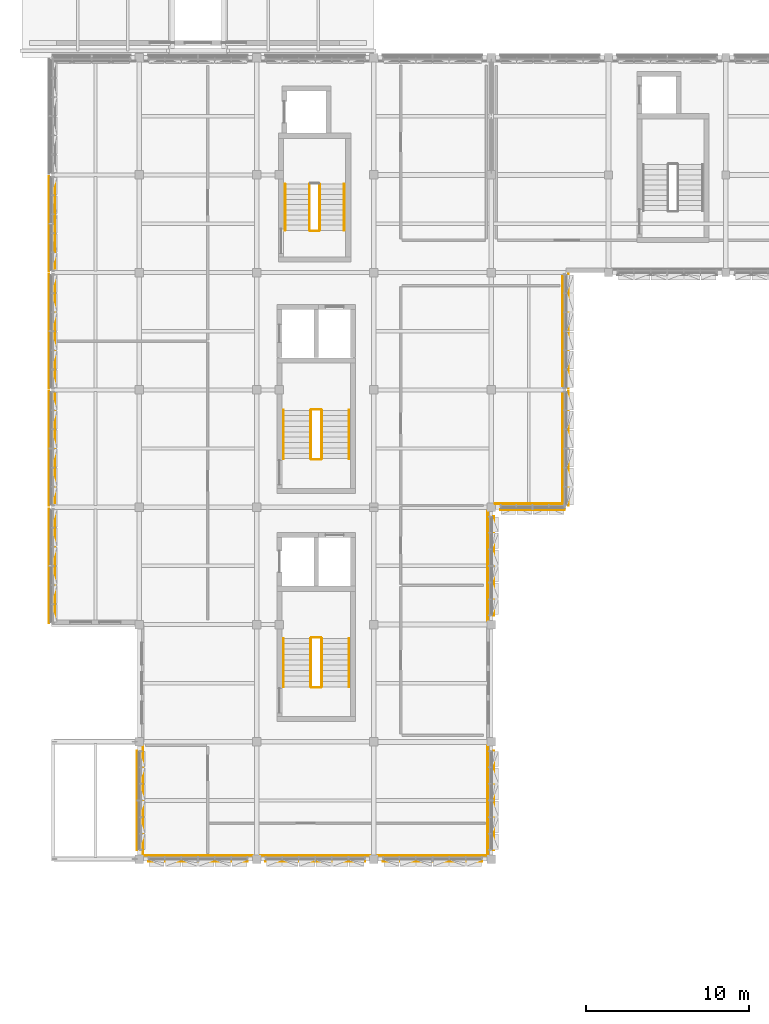
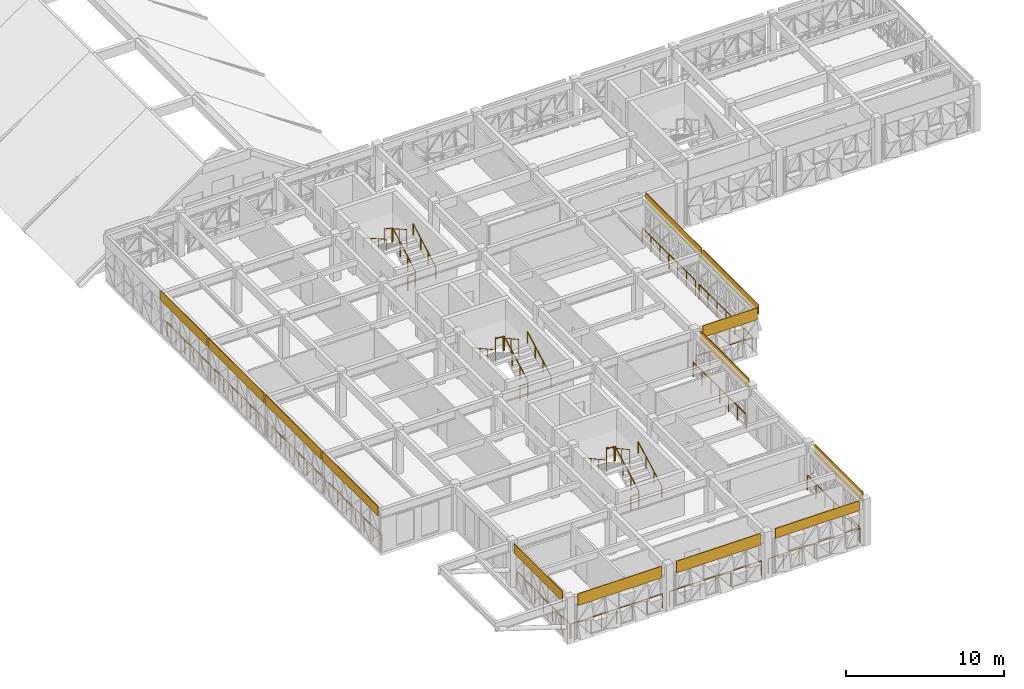
# One storey, part 40 of 48: 30 railings, 13 coverings.
"""IFC4 building model written with IfcOpenShell, lengths in metres."""

from ifc_helpers import new_model, si_unit, direction, frame, origin, origin_2d, place, context, subcontext, project, spatial, polyline, circle, outline, extrude, material, layer, layer_set, type_object, element, save


model = new_model("IFC4")

# Units and contexts
model_context = context("Model", 3, precision=1e-05, world=origin(), true_north=direction((0.0, 1.0)))
body_context = subcontext(model_context, "Body", "Model", "MODEL_VIEW")
ifc_project = project(units=[si_unit("LENGTHUNIT", "METRE"), si_unit("AREAUNIT", "SQUARE_METRE"), si_unit("VOLUMEUNIT", "CUBIC_METRE"), si_unit("PLANEANGLEUNIT", "RADIAN"), si_unit("MASSUNIT", "GRAM", prefix="KILO")], contexts=[model_context])

# Site, building, storey
site_placement = place(None, origin())
site = spatial("IfcSite", under=ifc_project, at=site_placement, CompositionType="ELEMENT")
building_placement = place(site_placement, origin())
building = spatial("IfcBuilding", under=site, at=building_placement, Name="Alvorim Cloister Faculty of Sciences", CompositionType="ELEMENT")
storey_placement = place(building_placement, frame((0.0, 0.0, 19.35009765625)))
storey = spatial("IfcBuildingStorey", under=building, at=storey_placement, Name="L05", CompositionType="ELEMENT", Elevation=19.35009765625)

# Coverings
ifc_material_1 = material(Name="Anodised Aluminium Alloy 6063-T6", Category="aluminium")
ifc_layer = layer(ifc_material_1, 0.031982421875)
ifc_layer_set = layer_set([ifc_layer], Name="Anodised Aluminium Alloy 6063-T6")
covering_type = type_object("IfcCoveringType", Name="COV-FAC-CAS", PredefinedType="CLADDING", material=ifc_layer_set)
covering_1_placement = place(storey_placement, frame((7.050048828125, 7.739990234375, 2.829833984375), z_axis=(0.0, 0.0, 1.0), x_axis=(0.0, 1.0, 0.0)))
element("IfcCovering", 1, at=covering_1_placement, inside=storey, type_object=covering_type, Name="L05 Shifted Bar Slab-Edge Architectural Fascia", PredefinedType="CLADDING", context=body_context, shape_type="SweptSolid", body=[
    extrude(outline(polyline([(0.0, 0.0), (6.1201171875, 0.0), (6.1201171875, 0.760009765625), (0.0, 0.760009765625), (0.0, 0.0)])), frame((0.0, 0.0224609375, 0.0), z_axis=(0.0, -1.0, 0.0), x_axis=(1.0, 0.0, 0.0)), (0.0, 0.0, 1.0), 0.044921875),
])
for number, where, z_axis, x_axis, name in (
    (2, (1.64990234375, 21.679931640625, 2.8369140625), (0.0, 0.0, 1.0), (0.0, 1.0, 0.0), "L05 Shifted Bar Slab-Edge Architectural Fascia"),
    (3, (1.64990234375, 28.8798828125, 2.8369140625), (0.0, 0.0, 1.0), (0.0, 1.0, 0.0), "L05 Shifted Bar Slab-Edge Architectural Fascia"),
    (4, (1.64990234375, 36.080078125, 2.8369140625), (0.0, 0.0, 1.0), (0.0, 1.0, 0.0), "L05 Shifted Bar Slab-Edge Architectural Fascia"),
):
    element("IfcCovering", number, at=place(storey_placement, frame(where, z_axis=z_axis, x_axis=x_axis)), inside=storey, type_object=covering_type, Name=name, PredefinedType="CLADDING", context=body_context, shape_type="SweptSolid", body=[
        extrude(outline(polyline([(0.0, 0.0), (7.0400390625, 0.0), (7.0400390625, 0.7529296875), (0.0, 0.7529296875), (0.0, 0.0)])), frame((0.0, 0.0224609375, 0.0), z_axis=(0.0, -1.0, 0.0), x_axis=(1.0, 0.0, 0.0)), (0.0, 0.0, 1.0), 0.044921875),
    ])
covering_2_placement = place(storey_placement, frame((1.64990234375, 43.280029296875, 2.8369140625), z_axis=(0.0, 0.0, 1.0), x_axis=(0.0, 1.0, 0.0)))
element("IfcCovering", 5, at=covering_2_placement, inside=storey, type_object=covering_type, Name="L05 Shifted Bar Slab-Edge Architectural Fascia", PredefinedType="CLADDING", context=body_context, shape_type="SweptSolid", body=[
    extrude(outline(polyline([(0.0, 0.0), (5.840087890625, 0.0), (5.840087890625, 0.7529296875), (0.0, 0.7529296875), (0.0, 0.0)])), frame((0.0, 0.0224609375, 0.0), z_axis=(0.0, -1.0, 0.0), x_axis=(1.0, 0.0, 0.0)), (0.0, 0.0, 1.0), 0.044921875),
])
for number, where, z_axis, x_axis, name in (
    (6, (33.550048828125, 36.080078125, 2.8369140625), (0.0, 0.0, 1.0), (0.0, 1.0, 0.0), "L05 Shifted Bar Slab-Edge Architectural Fascia"),
    (7, (33.550048828125, 28.8798828125, 2.8369140625), (0.0, 0.0, 1.0), (0.0, 1.0, 0.0), "L05 Shifted Bar Slab-Edge Architectural Fascia"),
):
    element("IfcCovering", number, at=place(storey_placement, frame(where, z_axis=z_axis, x_axis=x_axis)), inside=storey, type_object=covering_type, Name=name, PredefinedType="CLADDING", context=body_context, shape_type="SweptSolid", body=[
        extrude(outline(polyline([(0.0, 0.0), (7.0400390625, 0.0), (7.0400390625, 0.7529296875), (0.0, 0.7529296875), (0.0, 0.0)])), frame((0.0, 0.0224609375, 0.0), z_axis=(0.0, -1.0, 0.0), x_axis=(1.0, 0.0, 0.0)), (0.0, 0.0, 1.0), 0.044921875),
    ])
covering_3_placement = place(storey_placement, frame((29.340087890625, 28.64990234375, 2.685791015625), z_axis=(0.0, 0.0, 1.0), x_axis=(1.0, 0.0, 0.0)))
element("IfcCovering", 8, at=covering_3_placement, inside=storey, type_object=covering_type, Name="L05 Shifted Bar Slab-Edge Architectural Fascia", PredefinedType="CLADDING", context=body_context, shape_type="SweptSolid", body=[
    extrude(outline(polyline([(0.0, 0.0), (3.97998046875, 0.0), (3.97998046875, 0.904052734375), (0.0, 0.904052734375), (0.0, 0.0)])), frame((0.0, 0.0224609375, 0.0), z_axis=(0.0, -1.0, 0.0), x_axis=(1.0, 0.0, 0.0)), (0.0, 0.0, 1.0), 0.044921875),
])
for number, where, z_axis, x_axis, name in (
    (9, (28.949951171875, 22.139892578125, 2.829833984375), (0.0, 0.0, 1.0), (0.0, 1.0, 0.0), "L05 Shifted Bar Slab-Edge Architectural Fascia"),
    (10, (28.949951171875, 7.739990234375, 2.829833984375), (0.0, 0.0, 1.0), (0.0, 1.0, 0.0), "L05 Shifted Bar Slab-Edge Architectural Fascia"),
    (11, (22.139892578125, 7.050048828125, 2.829833984375), (0.0, 0.0, 1.0), (1.0, 0.0, 0.0), "L05 Shifted Bar Slab-Edge Architectural Fascia"),
):
    element("IfcCovering", number, at=place(storey_placement, frame(where, z_axis=z_axis, x_axis=x_axis)), inside=storey, type_object=covering_type, Name=name, PredefinedType="CLADDING", context=body_context, shape_type="SweptSolid", body=[
        extrude(outline(polyline([(0.0, 0.0), (6.1201171875, 0.0), (6.1201171875, 0.760009765625), (0.0, 0.760009765625), (0.0, 0.0)])), frame((0.0, 0.0224609375, 0.0), z_axis=(0.0, -1.0, 0.0), x_axis=(1.0, 0.0, 0.0)), (0.0, 0.0, 1.0), 0.044921875),
    ])
for number, where, z_axis, x_axis, name in (
    (12, (14.93994140625, 7.050048828125, 2.685791015625), (0.0, 0.0, 1.0), (1.0, 0.0, 0.0), "L05 Shifted Bar Slab-Edge Architectural Fascia"),
    (13, (7.739990234375, 7.050048828125, 2.685791015625), (0.0, 0.0, 1.0), (1.0, 0.0, 0.0), "L05 Shifted Bar Slab-Edge Architectural Fascia"),
):
    element("IfcCovering", number, at=place(storey_placement, frame(where, z_axis=z_axis, x_axis=x_axis)), inside=storey, type_object=covering_type, Name=name, PredefinedType="CLADDING", context=body_context, shape_type="SweptSolid", body=[
        extrude(outline(polyline([(0.0, 0.0), (6.1201171875, 0.0), (6.1201171875, 0.904052734375), (0.0, 0.904052734375), (0.0, 0.0)])), frame((0.0, 0.0224609375, 0.0), z_axis=(0.0, -1.0, 0.0), x_axis=(1.0, 0.0, 0.0)), (0.0, 0.0, 1.0), 0.044921875),
    ])

# Railings
ifc_material_2 = material(Name="Laminated Safety Glass and Bronze", Category="glass")
railing_type_1 = type_object("IfcRailingType", Name="RL-ATR-BAL-1150", PredefinedType="BALUSTRADE", material=ifc_material_2)
for number, where, name in (
    (14, (7.419921875, 7.449951171875, 0.0), "L05 Curtain Wall Sill Guard BL-207"),
    (15, (2.02001953125, 21.85009765625, 0.0), "L05 Curtain Wall Sill Guard BL-208"),
    (16, (2.02001953125, 29.050048828125, 0.0), "L05 Curtain Wall Sill Guard BL-209"),
    (17, (2.02001953125, 36.25, 0.0), "L05 Curtain Wall Sill Guard BL-210"),
):
    element("IfcRailing", number, at=place(storey_placement, frame(where)), inside=storey, type_object=railing_type_1, Name=name, PredefinedType="BALUSTRADE", context=body_context, shape_type="SweptSolid", body=[
        extrude(circle(Radius=0.02392578125, at=origin_2d()), frame((0.0, 0.0, 1.1259765625), z_axis=(0.0, 1.0, 0.0), x_axis=(-1.0, 0.0, 0.0)), (0.0, 0.0, 1.0), 6.699951171875),
        extrude(circle(Radius=0.02099609375, at=origin_2d()), origin(), (0.0, 0.0, 1.0), 1.101806640625),
        extrude(circle(Radius=0.02099609375, at=origin_2d()), frame((0.0, 1.11669921875, 0.0)), (0.0, 0.0, 1.0), 1.101806640625),
        extrude(circle(Radius=0.02099609375, at=origin_2d()), frame((0.0, 2.2333984375, 0.0)), (0.0, 0.0, 1.0), 1.101806640625),
        extrude(circle(Radius=0.02099609375, at=origin_2d()), frame((0.0, 3.35009765625, 0.0)), (0.0, 0.0, 1.0), 1.101806640625),
        extrude(circle(Radius=0.02099609375, at=origin_2d()), frame((0.0, 4.466552734375, 0.0)), (0.0, 0.0, 1.0), 1.101806640625),
        extrude(circle(Radius=0.02099609375, at=origin_2d()), frame((0.0, 5.583251953125, 0.0)), (0.0, 0.0, 1.0), 1.101806640625),
        extrude(circle(Radius=0.02099609375, at=origin_2d()), frame((0.0, 6.699951171875, 0.0)), (0.0, 0.0, 1.0), 1.101806640625),
    ])
railing_1_placement = place(storey_placement, frame((2.02001953125, 43.449951171875, 0.0)))
element("IfcRailing", 18, at=railing_1_placement, inside=storey, type_object=railing_type_1, Name="L05 Curtain Wall Sill Guard BL-211", PredefinedType="BALUSTRADE", context=body_context, shape_type="SweptSolid", body=[
    extrude(circle(Radius=0.02392578125, at=origin_2d()), frame((0.0, 0.0, 1.1259765625), z_axis=(0.0, 1.0, 0.0), x_axis=(-1.0, 0.0, 0.0)), (0.0, 0.0, 1.0), 5.5),
    extrude(circle(Radius=0.02099609375, at=origin_2d()), origin(), (0.0, 0.0, 1.0), 1.101806640625),
    extrude(circle(Radius=0.02099609375, at=origin_2d()), frame((0.0, 1.10009765625, 0.0)), (0.0, 0.0, 1.0), 1.101806640625),
    extrude(circle(Radius=0.02099609375, at=origin_2d()), frame((0.0, 2.199951171875, 0.0)), (0.0, 0.0, 1.0), 1.101806640625),
    extrude(circle(Radius=0.02099609375, at=origin_2d()), frame((0.0, 3.300048828125, 0.0)), (0.0, 0.0, 1.0), 1.101806640625),
    extrude(circle(Radius=0.02099609375, at=origin_2d()), frame((0.0, 4.39990234375, 0.0)), (0.0, 0.0, 1.0), 1.101806640625),
    extrude(circle(Radius=0.02099609375, at=origin_2d()), frame((0.0, 5.5, 0.0)), (0.0, 0.0, 1.0), 1.101806640625),
])
for number, where, name in (
    (19, (33.179931640625, 36.25, 0.0), "L05 Curtain Wall Sill Guard BL-226"),
    (20, (33.179931640625, 29.050048828125, 0.0), "L05 Curtain Wall Sill Guard BL-227"),
):
    element("IfcRailing", number, at=place(storey_placement, frame(where)), inside=storey, type_object=railing_type_1, Name=name, PredefinedType="BALUSTRADE", context=body_context, shape_type="SweptSolid", body=[
        extrude(circle(Radius=0.02392578125, at=origin_2d()), frame((0.0, 0.0, 1.1259765625), z_axis=(0.0, 1.0, 0.0), x_axis=(-1.0, 0.0, 0.0)), (0.0, 0.0, 1.0), 6.699951171875),
        extrude(circle(Radius=0.02099609375, at=origin_2d()), origin(), (0.0, 0.0, 1.0), 1.101806640625),
        extrude(circle(Radius=0.02099609375, at=origin_2d()), frame((0.0, 1.11669921875, 0.0)), (0.0, 0.0, 1.0), 1.101806640625),
        extrude(circle(Radius=0.02099609375, at=origin_2d()), frame((0.0, 2.2333984375, 0.0)), (0.0, 0.0, 1.0), 1.101806640625),
        extrude(circle(Radius=0.02099609375, at=origin_2d()), frame((0.0, 3.35009765625, 0.0)), (0.0, 0.0, 1.0), 1.101806640625),
        extrude(circle(Radius=0.02099609375, at=origin_2d()), frame((0.0, 4.466552734375, 0.0)), (0.0, 0.0, 1.0), 1.101806640625),
        extrude(circle(Radius=0.02099609375, at=origin_2d()), frame((0.0, 5.583251953125, 0.0)), (0.0, 0.0, 1.0), 1.101806640625),
        extrude(circle(Radius=0.02099609375, at=origin_2d()), frame((0.0, 6.699951171875, 0.0)), (0.0, 0.0, 1.0), 1.101806640625),
    ])
railing_2_placement = place(storey_placement, frame((29.050048828125, 29.02001953125, 0.0)))
element("IfcRailing", 21, at=railing_2_placement, inside=storey, type_object=railing_type_1, Name="L05 Curtain Wall Sill Guard BL-228", PredefinedType="BALUSTRADE", context=body_context, shape_type="SweptSolid", body=[
    extrude(circle(Radius=0.02392578125, at=origin_2d()), frame((0.0, 0.0, 1.1259765625), z_axis=(1.0, 0.0, 0.0), x_axis=(0.0, 1.0, 0.0)), (0.0, 0.0, 1.0), 4.099853515625),
    extrude(circle(Radius=0.02099609375, at=origin_2d()), origin(), (0.0, 0.0, 1.0), 1.101806640625),
    extrude(circle(Radius=0.02099609375, at=origin_2d()), frame((1.02490234375, 0.0, 0.0)), (0.0, 0.0, 1.0), 1.101806640625),
    extrude(circle(Radius=0.02099609375, at=origin_2d()), frame((2.0498046875, 0.0, 0.0)), (0.0, 0.0, 1.0), 1.101806640625),
    extrude(circle(Radius=0.02099609375, at=origin_2d()), frame((3.074951171875, 0.0, 0.0)), (0.0, 0.0, 1.0), 1.101806640625),
    extrude(circle(Radius=0.02099609375, at=origin_2d()), frame((4.099853515625, 0.0, 0.0)), (0.0, 0.0, 1.0), 1.101806640625),
])
for number, where, name in (
    (22, (28.580078125, 21.85009765625, 0.0), "L05 Curtain Wall Sill Guard BL-229"),
    (23, (28.580078125, 7.449951171875, 0.0), "L05 Curtain Wall Sill Guard BL-230"),
):
    element("IfcRailing", number, at=place(storey_placement, frame(where)), inside=storey, type_object=railing_type_1, Name=name, PredefinedType="BALUSTRADE", context=body_context, shape_type="SweptSolid", body=[
        extrude(circle(Radius=0.02392578125, at=origin_2d()), frame((0.0, 0.0, 1.1259765625), z_axis=(0.0, 1.0, 0.0), x_axis=(-1.0, 0.0, 0.0)), (0.0, 0.0, 1.0), 6.699951171875),
        extrude(circle(Radius=0.02099609375, at=origin_2d()), origin(), (0.0, 0.0, 1.0), 1.101806640625),
        extrude(circle(Radius=0.02099609375, at=origin_2d()), frame((0.0, 1.11669921875, 0.0)), (0.0, 0.0, 1.0), 1.101806640625),
        extrude(circle(Radius=0.02099609375, at=origin_2d()), frame((0.0, 2.2333984375, 0.0)), (0.0, 0.0, 1.0), 1.101806640625),
        extrude(circle(Radius=0.02099609375, at=origin_2d()), frame((0.0, 3.35009765625, 0.0)), (0.0, 0.0, 1.0), 1.101806640625),
        extrude(circle(Radius=0.02099609375, at=origin_2d()), frame((0.0, 4.466552734375, 0.0)), (0.0, 0.0, 1.0), 1.101806640625),
        extrude(circle(Radius=0.02099609375, at=origin_2d()), frame((0.0, 5.583251953125, 0.0)), (0.0, 0.0, 1.0), 1.101806640625),
        extrude(circle(Radius=0.02099609375, at=origin_2d()), frame((0.0, 6.699951171875, 0.0)), (0.0, 0.0, 1.0), 1.101806640625),
    ])
railing_3_placement = place(storey_placement, frame((21.85009765625, 7.419921875, 0.0)))
element("IfcRailing", 24, at=railing_3_placement, inside=storey, type_object=railing_type_1, Name="L05 Curtain Wall Sill Guard BL-231", PredefinedType="BALUSTRADE", context=body_context, shape_type="SweptSolid", body=[
    extrude(circle(Radius=0.02392578125, at=origin_2d()), frame((0.0, 0.0, 1.1259765625), z_axis=(1.0, 0.0, 0.0), x_axis=(0.0, 1.0, 0.0)), (0.0, 0.0, 1.0), 6.699951171875),
    extrude(circle(Radius=0.02099609375, at=origin_2d()), origin(), (0.0, 0.0, 1.0), 1.101806640625),
    extrude(circle(Radius=0.02099609375, at=origin_2d()), frame((1.11669921875, 0.0, 0.0)), (0.0, 0.0, 1.0), 1.101806640625),
    extrude(circle(Radius=0.02099609375, at=origin_2d()), frame((2.2333984375, 0.0, 0.0)), (0.0, 0.0, 1.0), 1.101806640625),
    extrude(circle(Radius=0.02099609375, at=origin_2d()), frame((3.35009765625, 0.0, 0.0)), (0.0, 0.0, 1.0), 1.101806640625),
    extrude(circle(Radius=0.02099609375, at=origin_2d()), frame((4.466552734375, 0.0, 0.0)), (0.0, 0.0, 1.0), 1.101806640625),
    extrude(circle(Radius=0.02099609375, at=origin_2d()), frame((5.583251953125, 0.0, 0.0)), (0.0, 0.0, 1.0), 1.101806640625),
    extrude(circle(Radius=0.02099609375, at=origin_2d()), frame((6.699951171875, 0.0, 0.0)), (0.0, 0.0, 1.0), 1.101806640625),
])
railing_4_placement = place(storey_placement, frame((14.64990234375, 7.419921875, 0.0)))
element("IfcRailing", 25, at=railing_4_placement, inside=storey, type_object=railing_type_1, Name="L05 Curtain Wall Sill Guard BL-232", PredefinedType="BALUSTRADE", context=body_context, shape_type="SweptSolid", body=[
    extrude(circle(Radius=0.02392578125, at=origin_2d()), frame((0.0, 0.0, 1.1259765625), z_axis=(1.0, 0.0, 0.0), x_axis=(0.0, 1.0, 0.0)), (0.0, 0.0, 1.0), 6.7001953125),
    extrude(circle(Radius=0.02099609375, at=origin_2d()), origin(), (0.0, 0.0, 1.0), 1.101806640625),
    extrude(circle(Radius=0.02099609375, at=origin_2d()), frame((1.11669921875, 0.0, 0.0)), (0.0, 0.0, 1.0), 1.101806640625),
    extrude(circle(Radius=0.02099609375, at=origin_2d()), frame((2.2333984375, 0.0, 0.0)), (0.0, 0.0, 1.0), 1.101806640625),
    extrude(circle(Radius=0.02099609375, at=origin_2d()), frame((3.35009765625, 0.0, 0.0)), (0.0, 0.0, 1.0), 1.101806640625),
    extrude(circle(Radius=0.02099609375, at=origin_2d()), frame((4.466796875, 0.0, 0.0)), (0.0, 0.0, 1.0), 1.101806640625),
    extrude(circle(Radius=0.02099609375, at=origin_2d()), frame((5.58349609375, 0.0, 0.0)), (0.0, 0.0, 1.0), 1.101806640625),
    extrude(circle(Radius=0.02099609375, at=origin_2d()), frame((6.7001953125, 0.0, 0.0)), (0.0, 0.0, 1.0), 1.101806640625),
])
railing_5_placement = place(storey_placement, frame((7.449951171875, 7.419921875, 0.0)))
element("IfcRailing", 26, at=railing_5_placement, inside=storey, type_object=railing_type_1, Name="L05 Curtain Wall Sill Guard BL-233", PredefinedType="BALUSTRADE", context=body_context, shape_type="SweptSolid", body=[
    extrude(circle(Radius=0.02392578125, at=origin_2d()), frame((0.0, 0.0, 1.1259765625), z_axis=(1.0, 0.0, 0.0), x_axis=(0.0, 1.0, 0.0)), (0.0, 0.0, 1.0), 6.699951171875),
    extrude(circle(Radius=0.02099609375, at=origin_2d()), origin(), (0.0, 0.0, 1.0), 1.101806640625),
    extrude(circle(Radius=0.02099609375, at=origin_2d()), frame((1.11669921875, 0.0, 0.0)), (0.0, 0.0, 1.0), 1.101806640625),
    extrude(circle(Radius=0.02099609375, at=origin_2d()), frame((2.2333984375, 0.0, 0.0)), (0.0, 0.0, 1.0), 1.101806640625),
    extrude(circle(Radius=0.02099609375, at=origin_2d()), frame((3.35009765625, 0.0, 0.0)), (0.0, 0.0, 1.0), 1.101806640625),
    extrude(circle(Radius=0.02099609375, at=origin_2d()), frame((4.466552734375, 0.0, 0.0)), (0.0, 0.0, 1.0), 1.101806640625),
    extrude(circle(Radius=0.02099609375, at=origin_2d()), frame((5.583251953125, 0.0, 0.0)), (0.0, 0.0, 1.0), 1.101806640625),
    extrude(circle(Radius=0.02099609375, at=origin_2d()), frame((6.699951171875, 0.0, 0.0)), (0.0, 0.0, 1.0), 1.101806640625),
])
ifc_material_3 = material(Name="Galvanised Painted Steel", Category="steel")
railing_type_2 = type_object("IfcRailingType", Name="RL-STR-GUARD", PredefinedType="GUARDRAIL", material=ifc_material_3)
railing_6_placement = place(storey_placement, frame((18.389892578125, 17.780029296875, 0.179931640625)))
element("IfcRailing", 27, at=railing_6_placement, inside=storey, type_object=railing_type_2, Name="L05 ST-01 stair guard 1", PredefinedType="GUARDRAIL", context=body_context, shape_type="SweptSolid", body=[
    extrude(circle(Radius=0.02392578125, at=origin_2d()), frame((0.0, 0.0, 1.09619140625), z_axis=(0.0, 0.877909362389, 0.478826849112), x_axis=(-1.0, 0.0, 0.0)), (0.0, 0.0, 1.0), 3.383056640625),
    extrude(circle(Radius=0.02099609375, at=origin_2d()), origin(), (0.0, 0.0, 1.0), 1.072021484375),
    extrude(circle(Radius=0.02099609375, at=origin_2d()), frame((0.0, 0.989990234375, 0.5400390625)), (0.0, 0.0, 1.0), 1.072021484375),
    extrude(circle(Radius=0.02099609375, at=origin_2d()), frame((0.0, 1.97998046875, 1.079833984375)), (0.0, 0.0, 1.0), 1.072021484375),
    extrude(circle(Radius=0.02099609375, at=origin_2d()), frame((0.0, 2.969970703125, 1.619873046875)), (0.0, 0.0, 1.0), 1.072021484375),
])
railing_7_placement = place(storey_placement, frame((18.340087890625, 20.800048828125, 1.7998046875)))
element("IfcRailing", 28, at=railing_7_placement, inside=storey, type_object=railing_type_2, Name="L05 ST-01 stair guard 2", PredefinedType="GUARDRAIL", context=body_context, shape_type="SweptSolid", body=[
    extrude(circle(Radius=0.02392578125, at=origin_2d()), frame((0.0, 0.0, 1.09619140625), z_axis=(-1.0, 0.0, 0.0), x_axis=(0.0, -1.0, 0.0)), (0.0, 0.0, 1.0), 0.56005859375),
    extrude(circle(Radius=0.02099609375, at=origin_2d()), origin(), (0.0, 0.0, 1.0), 1.072021484375),
    extrude(circle(Radius=0.02099609375, at=origin_2d()), frame((-0.56005859375, 0.0, 0.0)), (0.0, 0.0, 1.0), 1.072021484375),
])
railing_8_placement = place(storey_placement, frame((17.72998046875, 20.75, 1.97998046875)))
element("IfcRailing", 29, at=railing_8_placement, inside=storey, type_object=railing_type_2, Name="L05 ST-01 stair guard 3", PredefinedType="GUARDRAIL", context=body_context, shape_type="SweptSolid", body=[
    extrude(circle(Radius=0.02392578125, at=origin_2d()), frame((0.0, 0.0, 1.09619140625), z_axis=(0.0, -0.877909362389, 0.478826849112), x_axis=(1.0, 0.0, 0.0)), (0.0, 0.0, 1.0), 3.383056640625),
    extrude(circle(Radius=0.02099609375, at=origin_2d()), origin(), (0.0, 0.0, 1.0), 1.072021484375),
    extrude(circle(Radius=0.02099609375, at=origin_2d()), frame((0.0, -0.989990234375, 0.5400390625)), (0.0, 0.0, 1.0), 1.072021484375),
    extrude(circle(Radius=0.02099609375, at=origin_2d()), frame((0.0, -1.97998046875, 1.079833984375)), (0.0, 0.0, 1.0), 1.072021484375),
    extrude(circle(Radius=0.02099609375, at=origin_2d()), frame((0.0, -2.969970703125, 1.619873046875)), (0.0, 0.0, 1.0), 1.072021484375),
])
railing_9_placement = place(storey_placement, frame((18.340087890625, 17.72998046875, 0.0)))
element("IfcRailing", 30, at=railing_9_placement, inside=storey, type_object=railing_type_2, Name="L05 ST-01 stair guard 4", PredefinedType="GUARDRAIL", context=body_context, shape_type="SweptSolid", body=[
    extrude(circle(Radius=0.02392578125, at=origin_2d()), frame((0.0, 0.0, 1.09619140625), z_axis=(-1.0, 0.0, 0.0), x_axis=(0.0, -1.0, 0.0)), (0.0, 0.0, 1.0), 0.56005859375),
    extrude(circle(Radius=0.02099609375, at=origin_2d()), origin(), (0.0, 0.0, 1.0), 1.072021484375),
    extrude(circle(Radius=0.02099609375, at=origin_2d()), frame((-0.56005859375, 0.0, 0.0)), (0.0, 0.0, 1.0), 1.072021484375),
])
railing_10_placement = place(storey_placement, frame((18.389892578125, 31.780029296875, 0.179931640625)))
element("IfcRailing", 31, at=railing_10_placement, inside=storey, type_object=railing_type_2, Name="L05 ST-02 stair guard 1", PredefinedType="GUARDRAIL", context=body_context, shape_type="SweptSolid", body=[
    extrude(circle(Radius=0.02392578125, at=origin_2d()), frame((0.0, 0.0, 1.09619140625), z_axis=(0.0, 0.877909362389, 0.478826849112), x_axis=(-1.0, 0.0, 0.0)), (0.0, 0.0, 1.0), 3.383056640625),
    extrude(circle(Radius=0.02099609375, at=origin_2d()), origin(), (0.0, 0.0, 1.0), 1.072021484375),
    extrude(circle(Radius=0.02099609375, at=origin_2d()), frame((0.0, 0.989990234375, 0.5400390625)), (0.0, 0.0, 1.0), 1.072021484375),
    extrude(circle(Radius=0.02099609375, at=origin_2d()), frame((0.0, 1.97998046875, 1.079833984375)), (0.0, 0.0, 1.0), 1.072021484375),
    extrude(circle(Radius=0.02099609375, at=origin_2d()), frame((0.0, 2.969970703125, 1.619873046875)), (0.0, 0.0, 1.0), 1.072021484375),
])
railing_11_placement = place(storey_placement, frame((18.340087890625, 34.800048828125, 1.7998046875)))
element("IfcRailing", 32, at=railing_11_placement, inside=storey, type_object=railing_type_2, Name="L05 ST-02 stair guard 2", PredefinedType="GUARDRAIL", context=body_context, shape_type="SweptSolid", body=[
    extrude(circle(Radius=0.02392578125, at=origin_2d()), frame((0.0, 0.0, 1.09619140625), z_axis=(-1.0, 0.0, 0.0), x_axis=(0.0, -1.0, 0.0)), (0.0, 0.0, 1.0), 0.56005859375),
    extrude(circle(Radius=0.02099609375, at=origin_2d()), origin(), (0.0, 0.0, 1.0), 1.072021484375),
    extrude(circle(Radius=0.02099609375, at=origin_2d()), frame((-0.56005859375, 0.0, 0.0)), (0.0, 0.0, 1.0), 1.072021484375),
])
railing_12_placement = place(storey_placement, frame((17.72998046875, 34.75, 1.97998046875)))
element("IfcRailing", 33, at=railing_12_placement, inside=storey, type_object=railing_type_2, Name="L05 ST-02 stair guard 3", PredefinedType="GUARDRAIL", context=body_context, shape_type="SweptSolid", body=[
    extrude(circle(Radius=0.02392578125, at=origin_2d()), frame((0.0, 0.0, 1.09619140625), z_axis=(0.0, -0.877909362389, 0.478826849112), x_axis=(1.0, 0.0, 0.0)), (0.0, 0.0, 1.0), 3.383056640625),
    extrude(circle(Radius=0.02099609375, at=origin_2d()), origin(), (0.0, 0.0, 1.0), 1.072021484375),
    extrude(circle(Radius=0.02099609375, at=origin_2d()), frame((0.0, -0.989990234375, 0.5400390625)), (0.0, 0.0, 1.0), 1.072021484375),
    extrude(circle(Radius=0.02099609375, at=origin_2d()), frame((0.0, -1.97998046875, 1.079833984375)), (0.0, 0.0, 1.0), 1.072021484375),
    extrude(circle(Radius=0.02099609375, at=origin_2d()), frame((0.0, -2.969970703125, 1.619873046875)), (0.0, 0.0, 1.0), 1.072021484375),
])
railing_13_placement = place(storey_placement, frame((18.340087890625, 31.72998046875, 0.0)))
element("IfcRailing", 34, at=railing_13_placement, inside=storey, type_object=railing_type_2, Name="L05 ST-02 stair guard 4", PredefinedType="GUARDRAIL", context=body_context, shape_type="SweptSolid", body=[
    extrude(circle(Radius=0.02392578125, at=origin_2d()), frame((0.0, 0.0, 1.09619140625), z_axis=(-1.0, 0.0, 0.0), x_axis=(0.0, -1.0, 0.0)), (0.0, 0.0, 1.0), 0.56005859375),
    extrude(circle(Radius=0.02099609375, at=origin_2d()), origin(), (0.0, 0.0, 1.0), 1.072021484375),
    extrude(circle(Radius=0.02099609375, at=origin_2d()), frame((-0.56005859375, 0.0, 0.0)), (0.0, 0.0, 1.0), 1.072021484375),
])
railing_14_placement = place(storey_placement, frame((18.27001953125, 45.800048828125, 0.179931640625)))
element("IfcRailing", 35, at=railing_14_placement, inside=storey, type_object=railing_type_2, Name="L05 ST-03 stair guard 1", PredefinedType="GUARDRAIL", context=body_context, shape_type="SweptSolid", body=[
    extrude(circle(Radius=0.02392578125, at=origin_2d()), frame((0.0, 0.0, 1.09619140625), z_axis=(0.0, 0.868256945921, 0.496114780932), x_axis=(-1.0, 0.0, 0.0)), (0.0, 0.0, 1.0), 3.26513671875),
    extrude(circle(Radius=0.02099609375, at=origin_2d()), origin(), (0.0, 0.0, 1.0), 1.072021484375),
    extrude(circle(Radius=0.02099609375, at=origin_2d()), frame((0.0, 0.945068359375, 0.5400390625)), (0.0, 0.0, 1.0), 1.072021484375),
    extrude(circle(Radius=0.02099609375, at=origin_2d()), frame((0.0, 1.889892578125, 1.079833984375)), (0.0, 0.0, 1.0), 1.072021484375),
    extrude(circle(Radius=0.02099609375, at=origin_2d()), frame((0.0, 2.8349609375, 1.619873046875)), (0.0, 0.0, 1.0), 1.072021484375),
])
railing_15_placement = place(storey_placement, frame((17.64990234375, 48.635009765625, 1.97998046875)))
element("IfcRailing", 36, at=railing_15_placement, inside=storey, type_object=railing_type_2, Name="L05 ST-03 stair guard 3", PredefinedType="GUARDRAIL", context=body_context, shape_type="SweptSolid", body=[
    extrude(circle(Radius=0.02392578125, at=origin_2d()), frame((0.0, 0.0, 1.09619140625), z_axis=(0.0, -0.868256945921, 0.496114780932), x_axis=(1.0, 0.0, 0.0)), (0.0, 0.0, 1.0), 3.26513671875),
    extrude(circle(Radius=0.02099609375, at=origin_2d()), origin(), (0.0, 0.0, 1.0), 1.072021484375),
    extrude(circle(Radius=0.02099609375, at=origin_2d()), frame((0.0, -0.945068359375, 0.5400390625)), (0.0, 0.0, 1.0), 1.072021484375),
    extrude(circle(Radius=0.02099609375, at=origin_2d()), frame((0.0, -1.889892578125, 1.079833984375)), (0.0, 0.0, 1.0), 1.072021484375),
    extrude(circle(Radius=0.02099609375, at=origin_2d()), frame((0.0, -2.8349609375, 1.619873046875)), (0.0, 0.0, 1.0), 1.072021484375),
])
railing_16_placement = place(storey_placement, frame((18.219970703125, 45.75, 0.0)))
element("IfcRailing", 37, at=railing_16_placement, inside=storey, type_object=railing_type_2, Name="L05 ST-03 stair guard 4", PredefinedType="GUARDRAIL", context=body_context, shape_type="SweptSolid", body=[
    extrude(circle(Radius=0.02392578125, at=origin_2d()), frame((0.0, 0.0, 1.09619140625), z_axis=(-1.0, 0.0, 0.0), x_axis=(0.0, -1.0, 0.0)), (0.0, 0.0, 1.0), 0.52001953125),
    extrude(circle(Radius=0.02099609375, at=origin_2d()), origin(), (0.0, 0.0, 1.0), 1.072021484375),
    extrude(circle(Radius=0.02099609375, at=origin_2d()), frame((-0.52001953125, 0.0, 0.0)), (0.0, 0.0, 1.0), 1.072021484375),
])
ifc_material_4 = material(Name="Brushed Stainless Steel", Category="steel")
railing_type_3 = type_object("IfcRailingType", Name="RL-STR-HAND", PredefinedType="HANDRAIL", material=ifc_material_4)
railing_17_placement = place(storey_placement, frame((20.070068359375, 17.780029296875, 0.179931640625)))
element("IfcRailing", 38, at=railing_17_placement, inside=storey, type_object=railing_type_3, Name="L05 ST-01 stair handrail 1", PredefinedType="HANDRAIL", context=body_context, shape_type="SweptSolid", body=[
    extrude(circle(Radius=0.02392578125, at=origin_2d()), frame((0.0, 0.0, 0.8759765625), z_axis=(0.0, 0.877909362389, 0.478826849112), x_axis=(-1.0, 0.0, 0.0)), (0.0, 0.0, 1.0), 3.383056640625),
    extrude(circle(Radius=0.02099609375, at=origin_2d()), origin(), (0.0, 0.0, 1.0), 0.851806640625),
    extrude(circle(Radius=0.02099609375, at=origin_2d()), frame((0.0, 0.989990234375, 0.5400390625)), (0.0, 0.0, 1.0), 0.851806640625),
    extrude(circle(Radius=0.02099609375, at=origin_2d()), frame((0.0, 1.97998046875, 1.079833984375)), (0.0, 0.0, 1.0), 0.851806640625),
    extrude(circle(Radius=0.02099609375, at=origin_2d()), frame((0.0, 2.969970703125, 1.619873046875)), (0.0, 0.0, 1.0), 0.851806640625),
])
railing_18_placement = place(storey_placement, frame((16.050048828125, 20.75, 1.97998046875)))
element("IfcRailing", 39, at=railing_18_placement, inside=storey, type_object=railing_type_3, Name="L05 ST-01 stair handrail 2", PredefinedType="HANDRAIL", context=body_context, shape_type="SweptSolid", body=[
    extrude(circle(Radius=0.02392578125, at=origin_2d()), frame((0.0, 0.0, 0.8759765625), z_axis=(0.0, -0.877909362389, 0.478826849112), x_axis=(1.0, 0.0, 0.0)), (0.0, 0.0, 1.0), 3.383056640625),
    extrude(circle(Radius=0.02099609375, at=origin_2d()), origin(), (0.0, 0.0, 1.0), 0.851806640625),
    extrude(circle(Radius=0.02099609375, at=origin_2d()), frame((0.0, -0.989990234375, 0.5400390625)), (0.0, 0.0, 1.0), 0.851806640625),
    extrude(circle(Radius=0.02099609375, at=origin_2d()), frame((0.0, -1.97998046875, 1.079833984375)), (0.0, 0.0, 1.0), 0.851806640625),
    extrude(circle(Radius=0.02099609375, at=origin_2d()), frame((0.0, -2.969970703125, 1.619873046875)), (0.0, 0.0, 1.0), 0.851806640625),
])
railing_19_placement = place(storey_placement, frame((20.070068359375, 31.780029296875, 0.179931640625)))
element("IfcRailing", 40, at=railing_19_placement, inside=storey, type_object=railing_type_3, Name="L05 ST-02 stair handrail 1", PredefinedType="HANDRAIL", context=body_context, shape_type="SweptSolid", body=[
    extrude(circle(Radius=0.02392578125, at=origin_2d()), frame((0.0, 0.0, 0.8759765625), z_axis=(0.0, 0.877909362389, 0.478826849112), x_axis=(-1.0, 0.0, 0.0)), (0.0, 0.0, 1.0), 3.383056640625),
    extrude(circle(Radius=0.02099609375, at=origin_2d()), origin(), (0.0, 0.0, 1.0), 0.851806640625),
    extrude(circle(Radius=0.02099609375, at=origin_2d()), frame((0.0, 0.989990234375, 0.5400390625)), (0.0, 0.0, 1.0), 0.851806640625),
    extrude(circle(Radius=0.02099609375, at=origin_2d()), frame((0.0, 1.97998046875, 1.079833984375)), (0.0, 0.0, 1.0), 0.851806640625),
    extrude(circle(Radius=0.02099609375, at=origin_2d()), frame((0.0, 2.969970703125, 1.619873046875)), (0.0, 0.0, 1.0), 0.851806640625),
])
railing_20_placement = place(storey_placement, frame((16.050048828125, 34.75, 1.97998046875)))
element("IfcRailing", 41, at=railing_20_placement, inside=storey, type_object=railing_type_3, Name="L05 ST-02 stair handrail 2", PredefinedType="HANDRAIL", context=body_context, shape_type="SweptSolid", body=[
    extrude(circle(Radius=0.02392578125, at=origin_2d()), frame((0.0, 0.0, 0.8759765625), z_axis=(0.0, -0.877909362389, 0.478826849112), x_axis=(1.0, 0.0, 0.0)), (0.0, 0.0, 1.0), 3.383056640625),
    extrude(circle(Radius=0.02099609375, at=origin_2d()), origin(), (0.0, 0.0, 1.0), 0.851806640625),
    extrude(circle(Radius=0.02099609375, at=origin_2d()), frame((0.0, -0.989990234375, 0.5400390625)), (0.0, 0.0, 1.0), 0.851806640625),
    extrude(circle(Radius=0.02099609375, at=origin_2d()), frame((0.0, -1.97998046875, 1.079833984375)), (0.0, 0.0, 1.0), 0.851806640625),
    extrude(circle(Radius=0.02099609375, at=origin_2d()), frame((0.0, -2.969970703125, 1.619873046875)), (0.0, 0.0, 1.0), 0.851806640625),
])
railing_21_placement = place(storey_placement, frame((19.77001953125, 45.800048828125, 0.179931640625)))
element("IfcRailing", 42, at=railing_21_placement, inside=storey, type_object=railing_type_3, Name="L05 ST-03 stair handrail 1", PredefinedType="HANDRAIL", context=body_context, shape_type="SweptSolid", body=[
    extrude(circle(Radius=0.02392578125, at=origin_2d()), frame((0.0, 0.0, 0.8759765625), z_axis=(0.0, 0.868256945921, 0.496114780932), x_axis=(-1.0, 0.0, 0.0)), (0.0, 0.0, 1.0), 3.26513671875),
    extrude(circle(Radius=0.02099609375, at=origin_2d()), origin(), (0.0, 0.0, 1.0), 0.851806640625),
    extrude(circle(Radius=0.02099609375, at=origin_2d()), frame((0.0, 0.945068359375, 0.5400390625)), (0.0, 0.0, 1.0), 0.851806640625),
    extrude(circle(Radius=0.02099609375, at=origin_2d()), frame((0.0, 1.889892578125, 1.079833984375)), (0.0, 0.0, 1.0), 0.851806640625),
    extrude(circle(Radius=0.02099609375, at=origin_2d()), frame((0.0, 2.8349609375, 1.619873046875)), (0.0, 0.0, 1.0), 0.851806640625),
])
railing_22_placement = place(storey_placement, frame((16.14990234375, 48.635009765625, 1.97998046875)))
element("IfcRailing", 43, at=railing_22_placement, inside=storey, type_object=railing_type_3, Name="L05 ST-03 stair handrail 2", PredefinedType="HANDRAIL", context=body_context, shape_type="SweptSolid", body=[
    extrude(circle(Radius=0.02392578125, at=origin_2d()), frame((0.0, 0.0, 0.8759765625), z_axis=(0.0, -0.868256945921, 0.496114780932), x_axis=(1.0, 0.0, 0.0)), (0.0, 0.0, 1.0), 3.26513671875),
    extrude(circle(Radius=0.02099609375, at=origin_2d()), origin(), (0.0, 0.0, 1.0), 0.851806640625),
    extrude(circle(Radius=0.02099609375, at=origin_2d()), frame((0.0, -0.945068359375, 0.5400390625)), (0.0, 0.0, 1.0), 0.851806640625),
    extrude(circle(Radius=0.02099609375, at=origin_2d()), frame((0.0, -1.889892578125, 1.079833984375)), (0.0, 0.0, 1.0), 0.851806640625),
    extrude(circle(Radius=0.02099609375, at=origin_2d()), frame((0.0, -2.8349609375, 1.619873046875)), (0.0, 0.0, 1.0), 0.851806640625),
])

save(model, "model.ifc")
